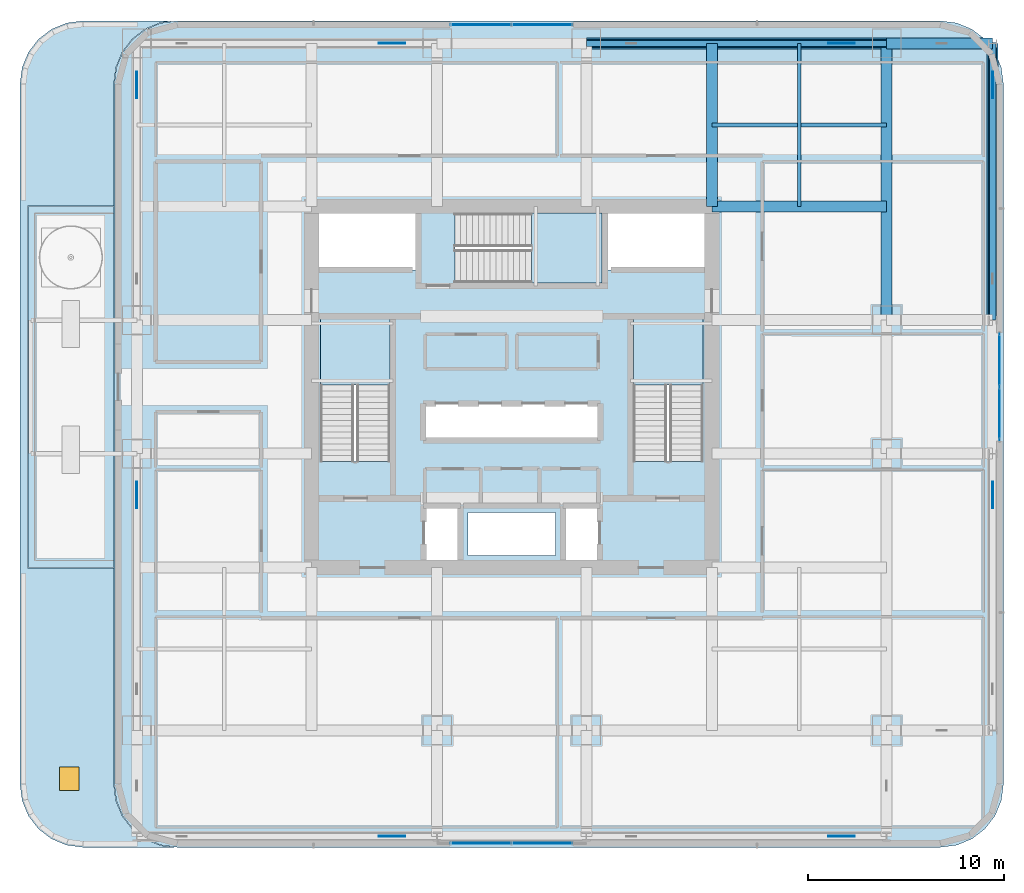
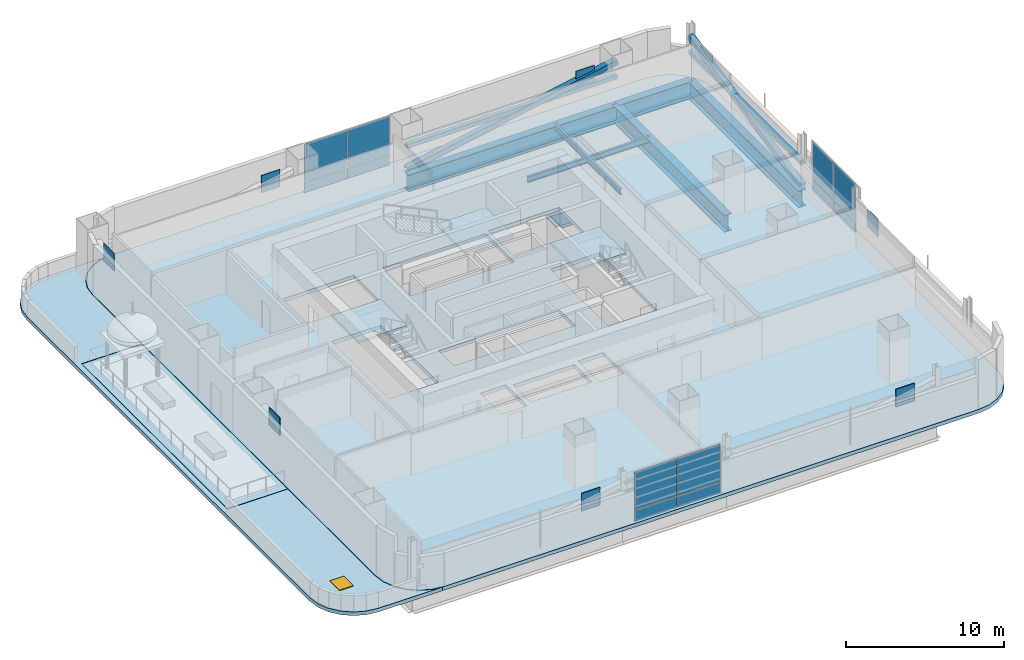
# One storey, part 7 of 27: 20 plates, 8 beams, 6 slabs, 4 members, 1 door, 1 opening, 6 elements without a shape of their own.
"""IFC4 building model written with IfcOpenShell, lengths in metres."""

from ifc_helpers import new_model, si_unit, direction, frame, origin, origin_2d, place, context, subcontext, project, spatial, polyline, rectangle, hollow_rectangle, i_section, outline, extrude, material, layer, layer_set, material_profile, profile_set, type_object, element, fill, aggregate, save


model = new_model("IFC4")

# Units and contexts
model_context = context("Model", 3, precision=1e-05, world=origin(), true_north=direction((0.0, 1.0)))
body_context = subcontext(model_context, "Body", "Model", "MODEL_VIEW")
ifc_project = project(units=[si_unit("LENGTHUNIT", "METRE"), si_unit("AREAUNIT", "SQUARE_METRE"), si_unit("VOLUMEUNIT", "CUBIC_METRE"), si_unit("PLANEANGLEUNIT", "RADIAN"), si_unit("MASSUNIT", "GRAM", prefix="KILO")], contexts=[model_context])

# Site, building, storey
site_placement = place(None, origin())
site = spatial("IfcSite", under=ifc_project, at=site_placement, CompositionType="ELEMENT")
building_placement = place(site_placement, origin())
building = spatial("IfcBuilding", under=site, at=building_placement, Name="Punatoya Terracotta Tower", CompositionType="ELEMENT")
storey_placement = place(building_placement, frame((0.0, 0.0, 60.60009765625)))
storey = spatial("IfcBuildingStorey", under=building, at=storey_placement, Name="L13", CompositionType="ELEMENT", Elevation=60.60009765625)

# Beams
ifc_material_1 = material(Name="Steel S355", Category="steel")
ifc_material_profile_1 = material_profile(ifc_material_1, i_section(OverallWidth=0.18994140625, OverallDepth=0.449951171875, WebThickness=0.009521484375, FlangeThickness=0.0146484375, FilletRadius=0.01806640625, at=origin_2d()))
ifc_profile_set_1 = profile_set([ifc_material_profile_1], Name="Steel S355")
beam_type_1 = type_object("IfcBeamType", Name="BM-SEC-450", PredefinedType="JOIST", material=ifc_profile_set_1)
beam_1_placement = place(storey_placement, frame((10.199951171875, 13.35009765625, -0.505126953125), z_axis=(1.0, 0.0, 0.0), x_axis=(0.0, 1.0, 0.0)))
element("IfcBeam", 1, at=beam_1_placement, inside=storey, type_object=beam_type_1, Name="BM-L13-SJN-2", PredefinedType="JOIST", context=body_context, shape_type="SweptSolid", body=[
    extrude(i_section(OverallWidth=0.18994140625, OverallDepth=0.449951171875, WebThickness=0.009521484375, FlangeThickness=0.0146484375, FilletRadius=0.01806640625, at=origin_2d()), origin(), (0.0, 0.0, 1.0), 8.900146484375),
])
beam_2_placement = place(storey_placement, frame((14.64990234375, 9.199951171875, -0.505126953125), z_axis=(0.0, 1.0, 0.0), x_axis=(-1.0, 0.0, 0.0)))
element("IfcBeam", 2, at=beam_2_placement, inside=storey, type_object=beam_type_1, Name="BM-L13-SJE-2", PredefinedType="JOIST", context=body_context, shape_type="SweptSolid", body=[
    extrude(i_section(OverallWidth=0.18994140625, OverallDepth=0.449951171875, WebThickness=0.009521484375, FlangeThickness=0.0146484375, FilletRadius=0.01806640625, at=origin_2d()), origin(), (0.0, 0.0, 1.0), 8.300048828125),
])
ifc_material_2 = material(Name="Steel S460", Category="steel")
ifc_material_profile_2 = material_profile(ifc_material_2, i_section(OverallWidth=0.56005859375, OverallDepth=1.320068359375, WebThickness=0.035888671875, FlangeThickness=0.054931640625, FilletRadius=0.01806640625, at=origin_2d()))
ifc_profile_set_2 = profile_set([ifc_material_profile_2], Name="Steel S460")
beam_type_2 = type_object("IfcBeamType", Name="BM-TG-BLK", PredefinedType="BEAM", material=ifc_profile_set_2)
beam_3_placement = place(storey_placement, frame((3.800048828125, 17.5, -0.940185546875), z_axis=(1.0, 0.0, 0.0), x_axis=(0.0, 1.0, 0.0)))
element("IfcBeam", 3, at=beam_3_placement, inside=storey, type_object=beam_type_2, Name="BM-L13-RG-N3", PredefinedType="BEAM", context=body_context, shape_type="SweptSolid", body=[
    extrude(i_section(OverallWidth=0.56005859375, OverallDepth=1.320068359375, WebThickness=0.035888671875, FlangeThickness=0.054931640625, FilletRadius=0.01806640625, at=origin_2d()), origin(), (0.0, 0.0, 1.0), 15.300048828125),
])
beam_4_placement = place(storey_placement, frame((19.10009765625, 3.39990234375, -0.940185546875), z_axis=(0.0, 1.0, 0.0), x_axis=(-1.0, 0.0, 0.0)))
element("IfcBeam", 4, at=beam_4_placement, inside=storey, type_object=beam_type_2, Name="BM-L13-RG-E3", PredefinedType="BEAM", context=body_context, shape_type="SweptSolid", body=[
    extrude(i_section(OverallWidth=0.56005859375, OverallDepth=1.320068359375, WebThickness=0.035888671875, FlangeThickness=0.054931640625, FilletRadius=0.01806640625, at=origin_2d()), origin(), (0.0, 0.0, 1.0), 14.10009765625),
])
beam_5_placement = place(storey_placement, frame((10.199951171875, 9.199951171875, -0.940185546875), z_axis=(1.0, 0.0, 0.0), x_axis=(0.0, 1.0, 0.0)))
element("IfcBeam", 5, at=beam_5_placement, inside=storey, type_object=beam_type_2, Name="BM-L13-PR-EN", PredefinedType="BEAM", context=body_context, shape_type="SweptSolid", body=[
    extrude(i_section(OverallWidth=0.56005859375, OverallDepth=1.320068359375, WebThickness=0.035888671875, FlangeThickness=0.054931640625, FilletRadius=0.01806640625, at=origin_2d()), origin(), (0.0, 0.0, 1.0), 8.900146484375),
])
beam_6_placement = place(storey_placement, frame((10.199951171875, 9.199951171875, -0.940185546875), z_axis=(0.0, 1.0, 0.0), x_axis=(-1.0, 0.0, 0.0)))
element("IfcBeam", 6, at=beam_6_placement, inside=storey, type_object=beam_type_2, Name="BM-L13-PR-N4", PredefinedType="BEAM", context=body_context, shape_type="SweptSolid", body=[
    extrude(i_section(OverallWidth=0.56005859375, OverallDepth=1.320068359375, WebThickness=0.035888671875, FlangeThickness=0.054931640625, FilletRadius=0.01806640625, at=origin_2d()), origin(), (0.0, 0.0, 1.0), 8.300048828125),
])
beam_7_placement = place(storey_placement, frame((19.10009765625, 17.5, -0.940185546875), z_axis=(1.0, 0.0, 0.0), x_axis=(0.0, 1.0, 0.0)))
element("IfcBeam", 7, at=beam_7_placement, inside=storey, type_object=beam_type_2, Name="BM-L13-CANT-E4", PredefinedType="BEAM", context=body_context, shape_type="SweptSolid", body=[
    extrude(i_section(OverallWidth=0.56005859375, OverallDepth=1.320068359375, WebThickness=0.035888671875, FlangeThickness=0.054931640625, FilletRadius=0.01806640625, at=origin_2d()), origin(), (0.0, 0.0, 1.0), 5.39990234375),
])
beam_8_placement = place(storey_placement, frame((24.5, 3.39990234375, -0.940185546875), z_axis=(0.0, 1.0, 0.0), x_axis=(-1.0, 0.0, 0.0)))
element("IfcBeam", 8, at=beam_8_placement, inside=storey, type_object=beam_type_2, Name="BM-L13-PER-E3", PredefinedType="BEAM", context=body_context, shape_type="SweptSolid", body=[
    extrude(i_section(OverallWidth=0.56005859375, OverallDepth=1.320068359375, WebThickness=0.035888671875, FlangeThickness=0.054931640625, FilletRadius=0.01806640625, at=origin_2d()), origin(), (0.0, 0.0, 1.0), 14.10009765625),
])

# Members
ifc_material_profile_3 = material_profile(ifc_material_2, hollow_rectangle(XDim=0.320068359375, YDim=0.320068359375, WallThickness=0.01806640625, at=origin_2d()))
ifc_profile_set_3 = profile_set([ifc_material_profile_3], Name="Steel S460")
member_type_1 = type_object("IfcMemberType", Name="MEM-CHD-320", PredefinedType="CHORD", material=ifc_profile_set_3)
member_1_placement = place(storey_placement, frame((3.800048828125, 17.5, 1.849853515625), z_axis=(1.0, 0.0, 0.0), x_axis=(0.0, 1.0, 0.0)))
element("IfcMember", 9, at=member_1_placement, inside=storey, type_object=member_type_1, Name="L13 Exoskeleton Belt Truss Tie Chord N3", PredefinedType="CHORD", context=body_context, shape_type="SweptSolid", body=[
    extrude(hollow_rectangle(XDim=0.320068359375, YDim=0.320068359375, WallThickness=0.01806640625, at=origin_2d()), origin(), (0.0, 0.0, 1.0), 15.300048828125),
])
member_2_placement = place(storey_placement, frame((24.5, 3.39990234375, 1.849853515625), z_axis=(0.0, 1.0, 0.0), x_axis=(-1.0, 0.0, 0.0)))
element("IfcMember", 10, at=member_2_placement, inside=storey, type_object=member_type_1, Name="L13 Exoskeleton Belt Truss Tie Chord E3", PredefinedType="CHORD", context=body_context, shape_type="SweptSolid", body=[
    extrude(hollow_rectangle(XDim=0.320068359375, YDim=0.320068359375, WallThickness=0.01806640625, at=origin_2d()), origin(), (0.0, 0.0, 1.0), 14.10009765625),
])
ifc_material_profile_4 = material_profile(ifc_material_2, hollow_rectangle(XDim=0.39990234375, YDim=0.39990234375, WallThickness=0.02197265625, at=origin_2d()))
ifc_profile_set_4 = profile_set([ifc_material_profile_4], Name="Steel S460")
member_type_2 = type_object("IfcMemberType", Name="MEM-EXO-400", PredefinedType="BRACE", material=ifc_profile_set_4)
member_3_placement = place(storey_placement, frame((3.800048828125, 17.5, 0.02001953125), z_axis=(0.981434908309, 0.0, 0.191795518072), x_axis=(0.0, 1.0, 0.0)))
element("IfcMember", 11, at=member_3_placement, inside=storey, type_object=member_type_2, Name="L13 Exoskeleton Belt Brace N3", PredefinedType="BRACE", context=body_context, shape_type="SweptSolid", body=[
    extrude(hollow_rectangle(XDim=0.39990234375, YDim=0.39990234375, WallThickness=0.02197265625, at=origin_2d()), origin(), (0.0, 0.0, 1.0), 15.58935546875),
])
member_4_placement = place(storey_placement, frame((24.5, 3.39990234375, 0.02001953125), z_axis=(0.0, 0.978247355132, 0.207441828415), x_axis=(-1.0, 0.0, 0.0)))
element("IfcMember", 12, at=member_4_placement, inside=storey, type_object=member_type_2, Name="L13 Exoskeleton Belt Brace E3", PredefinedType="BRACE", context=body_context, shape_type="SweptSolid", body=[
    extrude(hollow_rectangle(XDim=0.39990234375, YDim=0.39990234375, WallThickness=0.02197265625, at=origin_2d()), origin(), (0.0, 0.0, 1.0), 14.41357421875),
])

# Curtain wall, plates
ifc_material_3 = material(Name="Aluminium 6063-T6 + Double Low-E Glass", Category="aluminium")
curtain_wall_type = type_object("IfcCurtainWallType", Name="CW-M1", PredefinedType="NOTDEFINED", material=ifc_material_3)
curtain_wall_1_placement = place(storey_placement, origin())
curtain_wall_1 = element("IfcCurtainWall", 13, at=curtain_wall_1_placement, inside=storey, type_object=curtain_wall_type, Name="L13 Curtain Wall CW-L13-S01-1", PredefinedType="NOTDEFINED")
ifc_material_4 = material(Name="Double Low-E Clear Vision Glass", Category="glass")
ifc_layer_1 = layer(ifc_material_4, 0.028076171875)
ifc_layer_set_1 = layer_set([ifc_layer_1], Name="Double Low-E Clear Vision Glass")
plate_type_1 = type_object("IfcPlateType", Name="PLT-GLZ-28", PredefinedType="CURTAIN_PANEL", material=ifc_layer_set_1)
plate_1_placement = place(storey_placement, frame((-1.574951171875, -23.25, 0.889892578125), z_axis=(0.0, 0.0, 1.0), x_axis=(1.0, 0.0, 0.0)))
plate_1 = element("IfcPlate", 14, at=plate_1_placement, type_object=plate_type_1, Name="CW-L13-S01-1 Vision Glass Panel 1", PredefinedType="CURTAIN_PANEL", context=body_context, shape_type="SweptSolid", body=[
    extrude(rectangle(XDim=3.06494140625, YDim=0.028076171875, at=origin_2d()), origin(), (0.0, 0.0, 1.0), 2.8798828125),
])
plate_2_placement = place(storey_placement, frame((1.574951171875, -23.25, 0.889892578125), z_axis=(0.0, 0.0, 1.0), x_axis=(1.0, 0.0, 0.0)))
plate_2 = element("IfcPlate", 15, at=plate_2_placement, type_object=plate_type_1, Name="CW-L13-S01-1 Vision Glass Panel 2", PredefinedType="CURTAIN_PANEL", context=body_context, shape_type="SweptSolid", body=[
    extrude(rectangle(XDim=3.06494140625, YDim=0.028076171875, at=origin_2d()), origin(), (0.0, 0.0, 1.0), 2.8798828125),
])

curtain_wall_2_placement = place(storey_placement, origin())
curtain_wall_2 = element("IfcCurtainWall", 16, at=curtain_wall_2_placement, inside=storey, type_object=curtain_wall_type, Name="L13 Curtain Wall CW-L13-E05-1", PredefinedType="NOTDEFINED")
plate_3_placement = place(storey_placement, frame((24.85009765625, -1.375, 0.889892578125), z_axis=(0.0, 0.0, 1.0), x_axis=(0.0, 1.0, 0.0)))
plate_3 = element("IfcPlate", 17, at=plate_3_placement, type_object=plate_type_1, Name="CW-L13-E05-1 Vision Glass Panel 1", PredefinedType="CURTAIN_PANEL", context=body_context, shape_type="SweptSolid", body=[
    extrude(rectangle(XDim=2.6650390625, YDim=0.028076171875, at=origin_2d()), origin(), (0.0, 0.0, 1.0), 2.8798828125),
])
plate_4_placement = place(storey_placement, frame((24.85009765625, 1.375, 0.889892578125), z_axis=(0.0, 0.0, 1.0), x_axis=(0.0, 1.0, 0.0)))
plate_4 = element("IfcPlate", 18, at=plate_4_placement, type_object=plate_type_1, Name="CW-L13-E05-1 Vision Glass Panel 2", PredefinedType="CURTAIN_PANEL", context=body_context, shape_type="SweptSolid", body=[
    extrude(rectangle(XDim=2.6650390625, YDim=0.028076171875, at=origin_2d()), origin(), (0.0, 0.0, 1.0), 2.8798828125),
])

curtain_wall_3_placement = place(storey_placement, origin())
curtain_wall_3 = element("IfcCurtainWall", 19, at=curtain_wall_3_placement, inside=storey, type_object=curtain_wall_type, Name="L13 Curtain Wall CW-L13-N09-1", PredefinedType="NOTDEFINED")
plate_5_placement = place(storey_placement, frame((1.574951171875, 18.449951171875, 0.889892578125), z_axis=(0.0, 0.0, 1.0), x_axis=(-1.0, 0.0, 0.0)))
plate_5 = element("IfcPlate", 20, at=plate_5_placement, type_object=plate_type_1, Name="CW-L13-N09-1 Vision Glass Panel 1", PredefinedType="CURTAIN_PANEL", context=body_context, shape_type="SweptSolid", body=[
    extrude(rectangle(XDim=3.06494140625, YDim=0.028076171875, at=origin_2d()), origin(), (0.0, 0.0, 1.0), 2.8798828125),
])
plate_6_placement = place(storey_placement, frame((-1.574951171875, 18.449951171875, 0.889892578125), z_axis=(0.0, 0.0, 1.0), x_axis=(-1.0, 0.0, 0.0)))
plate_6 = element("IfcPlate", 21, at=plate_6_placement, type_object=plate_type_1, Name="CW-L13-N09-1 Vision Glass Panel 2", PredefinedType="CURTAIN_PANEL", context=body_context, shape_type="SweptSolid", body=[
    extrude(rectangle(XDim=3.06494140625, YDim=0.028076171875, at=origin_2d()), origin(), (0.0, 0.0, 1.0), 2.8798828125),
])

# Plates
ifc_layer_2 = layer(ifc_material_2, 0.050048828125)
ifc_layer_set_2 = layer_set([ifc_layer_2], Name="Steel S460")
plate_type_2 = type_object("IfcPlateType", Name="PLT-GUS-50", PredefinedType="USERDEFINED", material=ifc_layer_set_2)
for number, where, z_axis, x_axis, name in (
    (22, (-6.094970703125, -22.89990234375, 1.886474609375), (0.0, 0.0, 1.0), (1.0, 0.0, 0.0), "L13 Exoskeleton Node Gusset Plate S1"),
    (23, (16.804931640625, -22.89990234375, 1.886474609375), (0.0, 0.0, 1.0), (1.0, 0.0, 0.0), "L13 Exoskeleton Node Gusset Plate S3"),
    (24, (-6.094970703125, 17.5, 1.886474609375), (0.0, 0.0, 1.0), (1.0, 0.0, 0.0), "L13 Exoskeleton Node Gusset Plate N1"),
    (25, (16.804931640625, 17.5, 1.886474609375), (0.0, 0.0, 1.0), (1.0, 0.0, 0.0), "L13 Exoskeleton Node Gusset Plate N3"),
    (26, (-19.10009765625, -5.514892578125, 1.886474609375), (0.0, 0.0, 1.0), (0.0, 1.0, 0.0), "L13 Exoskeleton Node Gusset Plate W1"),
    (27, (-19.10009765625, 15.385009765625, 1.886474609375), (0.0, 0.0, 1.0), (0.0, 1.0, 0.0), "L13 Exoskeleton Node Gusset Plate W3"),
    (28, (24.5, -5.514892578125, 1.886474609375), (0.0, 0.0, 1.0), (0.0, 1.0, 0.0), "L13 Exoskeleton Node Gusset Plate E1"),
    (29, (24.5, 15.385009765625, 1.886474609375), (0.0, 0.0, 1.0), (0.0, 1.0, 0.0), "L13 Exoskeleton Node Gusset Plate E3"),
):
    element("IfcPlate", number, at=place(storey_placement, frame(where, z_axis=z_axis, x_axis=x_axis)), inside=storey, type_object=plate_type_2, Name=name, ObjectType="GUSSET_PLATE", PredefinedType="USERDEFINED", context=body_context, shape_type="SweptSolid", body=[
        extrude(rectangle(XDim=1.35009765625, YDim=0.050048828125, at=origin_2d()), origin(), (0.0, 0.0, 1.0), 1.35009765625),
    ])

# Plate
ifc_material_5 = material(Name="Insulated Terracotta-Backed Spandrel Panel", Category="masonry")
ifc_layer_3 = layer(ifc_material_5, 0.044921875)
ifc_layer_set_3 = layer_set([ifc_layer_3], Name="Insulated Terracotta-Backed Spandrel Panel")
plate_type_3 = type_object("IfcPlateType", Name="PLT-SPN-45", PredefinedType="CURTAIN_PANEL", material=ifc_layer_set_3)
plate_7_placement = place(storey_placement, frame((-1.574951171875, -23.25, 0.0400390625), z_axis=(0.0, 0.0, 1.0), x_axis=(1.0, 0.0, 0.0)))
plate_7 = element("IfcPlate", 30, at=plate_7_placement, type_object=plate_type_3, Name="CW-L13-S01-1 Terracotta Spandrel Panel 1", PredefinedType="CURTAIN_PANEL", context=body_context, shape_type="SweptSolid", body=[
    extrude(rectangle(XDim=3.06494140625, YDim=0.044921875, at=origin_2d()), origin(), (0.0, 0.0, 1.0), 0.77490234375),
])

plate_8_placement = place(storey_placement, frame((1.574951171875, -23.25, 0.0400390625), z_axis=(0.0, 0.0, 1.0), x_axis=(1.0, 0.0, 0.0)))
plate_8 = element("IfcPlate", 31, at=plate_8_placement, type_object=plate_type_3, Name="CW-L13-S01-1 Terracotta Spandrel Panel 2", PredefinedType="CURTAIN_PANEL", context=body_context, shape_type="SweptSolid", body=[
    extrude(rectangle(XDim=3.06494140625, YDim=0.044921875, at=origin_2d()), origin(), (0.0, 0.0, 1.0), 0.77490234375),
])

aggregate(curtain_wall_1, [plate_7, plate_1, plate_8, plate_2])

plate_9_placement = place(storey_placement, frame((24.85009765625, -1.375, 0.0400390625), z_axis=(0.0, 0.0, 1.0), x_axis=(0.0, 1.0, 0.0)))
plate_9 = element("IfcPlate", 32, at=plate_9_placement, type_object=plate_type_3, Name="CW-L13-E05-1 Terracotta Spandrel Panel 1", PredefinedType="CURTAIN_PANEL", context=body_context, shape_type="SweptSolid", body=[
    extrude(rectangle(XDim=2.6650390625, YDim=0.044921875, at=origin_2d()), origin(), (0.0, 0.0, 1.0), 0.77490234375),
])

plate_10_placement = place(storey_placement, frame((24.85009765625, 1.375, 0.0400390625), z_axis=(0.0, 0.0, 1.0), x_axis=(0.0, 1.0, 0.0)))
plate_10 = element("IfcPlate", 33, at=plate_10_placement, type_object=plate_type_3, Name="CW-L13-E05-1 Terracotta Spandrel Panel 2", PredefinedType="CURTAIN_PANEL", context=body_context, shape_type="SweptSolid", body=[
    extrude(rectangle(XDim=2.6650390625, YDim=0.044921875, at=origin_2d()), origin(), (0.0, 0.0, 1.0), 0.77490234375),
])

aggregate(curtain_wall_2, [plate_9, plate_3, plate_10, plate_4])

plate_11_placement = place(storey_placement, frame((1.574951171875, 18.449951171875, 0.0400390625), z_axis=(0.0, 0.0, 1.0), x_axis=(-1.0, 0.0, 0.0)))
plate_11 = element("IfcPlate", 34, at=plate_11_placement, type_object=plate_type_3, Name="CW-L13-N09-1 Terracotta Spandrel Panel 1", PredefinedType="CURTAIN_PANEL", context=body_context, shape_type="SweptSolid", body=[
    extrude(rectangle(XDim=3.06494140625, YDim=0.044921875, at=origin_2d()), origin(), (0.0, 0.0, 1.0), 0.77490234375),
])

plate_12_placement = place(storey_placement, frame((-1.574951171875, 18.449951171875, 0.0400390625), z_axis=(0.0, 0.0, 1.0), x_axis=(-1.0, 0.0, 0.0)))
plate_12 = element("IfcPlate", 35, at=plate_12_placement, type_object=plate_type_3, Name="CW-L13-N09-1 Terracotta Spandrel Panel 2", PredefinedType="CURTAIN_PANEL", context=body_context, shape_type="SweptSolid", body=[
    extrude(rectangle(XDim=3.06494140625, YDim=0.044921875, at=origin_2d()), origin(), (0.0, 0.0, 1.0), 0.77490234375),
])

aggregate(curtain_wall_3, [plate_11, plate_5, plate_12, plate_6])

# Stair, slab
ifc_material_6 = material(Name="Concrete C40/50", Category="concrete")
stair_type_1 = type_object("IfcStairType", Name="STR-TER-1450", PredefinedType="HALF_TURN_STAIR", material=ifc_material_6)
stair_1_placement = place(storey_placement, origin())
stair_1 = element("IfcStair", 36, at=stair_1_placement, inside=storey, type_object=stair_type_1, Name="L13 Protected Core Exit Stair ST-3", PredefinedType="HALF_TURN_STAIR")
ifc_layer_4 = layer(ifc_material_6, 0.1650390625)
ifc_layer_set_4 = layer_set([ifc_layer_4], Name="Concrete C40/50")
slab_type_1 = type_object("IfcSlabType", Name="SLB-LND-165", PredefinedType="LANDING", material=ifc_layer_set_4)
slab_1_placement = place(storey_placement, frame((0.0, 0.0, 1.824951171875)))
slab_1 = element("IfcSlab", 37, at=slab_1_placement, type_object=slab_type_1, Name="ST-3 landing 1", PredefinedType="LANDING", context=body_context, shape_type="SweptSolid", body=[
    extrude(outline(polyline([(1.0, 5.300048828125), (4.60009765625, 5.300048828125), (4.60009765625, 8.85009765625), (1.0, 8.85009765625), (1.0, 5.300048828125)])), origin(), (0.0, 0.0, 1.0), 0.199951171875),
])
aggregate(stair_1, [slab_1])

stair_type_2 = type_object("IfcStairType", Name="STR-CORE-1550", PredefinedType="HALF_TURN_STAIR", material=ifc_material_6)
stair_2_placement = place(storey_placement, origin())
stair_2 = element("IfcStair", 38, at=stair_2_placement, inside=storey, type_object=stair_type_2, Name="L13 Protected Core Exit Stair ST-1", PredefinedType="HALF_TURN_STAIR")
ifc_layer_5 = layer(ifc_material_6, 0.179931640625)
ifc_layer_set_5 = layer_set([ifc_layer_5], Name="Concrete C40/50")
slab_type_2 = type_object("IfcSlabType", Name="SLB-LND-180", PredefinedType="LANDING", material=ifc_layer_set_5)
slab_2_placement = place(storey_placement, frame((0.0, 0.0, 1.824951171875)))
slab_2 = element("IfcSlab", 39, at=slab_2_placement, type_object=slab_type_2, Name="ST-1 landing 1", PredefinedType="LANDING", context=body_context, shape_type="SweptSolid", body=[
    extrude(outline(polyline([(-6.199951171875, 0.10009765625), (-6.199951171875, 3.449951171875), (-9.75, 3.449951171875), (-9.75, 0.10009765625), (-6.199951171875, 0.10009765625)])), origin(), (0.0, 0.0, 1.0), 0.199951171875),
])
aggregate(stair_2, [slab_2])

stair_type_3 = type_object("IfcStairType", Name="STR-LOB-1650", PredefinedType="HALF_TURN_STAIR", material=ifc_material_6)
stair_3_placement = place(storey_placement, origin())
stair_3 = element("IfcStair", 40, at=stair_3_placement, inside=storey, type_object=stair_type_3, Name="L13 Protected Core Exit Stair ST-2", PredefinedType="HALF_TURN_STAIR")
slab_3_placement = place(storey_placement, frame((0.0, 0.0, 1.824951171875)))
slab_3 = element("IfcSlab", 41, at=slab_3_placement, type_object=slab_type_2, Name="ST-2 landing 1", PredefinedType="LANDING", context=body_context, shape_type="SweptSolid", body=[
    extrude(outline(polyline([(9.75, 0.10009765625), (9.75, 3.449951171875), (6.199951171875, 3.449951171875), (6.199951171875, 0.10009765625), (9.75, 0.10009765625)])), origin(), (0.0, 0.0, 1.0), 0.199951171875),
])
aggregate(stair_3, [slab_3])

# Slab
ifc_layer_6 = layer(ifc_material_6, 0.280029296875)
ifc_layer_set_6 = layer_set([ifc_layer_6], Name="Concrete C40/50")
slab_type_3 = type_object("IfcSlabType", Name="SLB-POD-280", PredefinedType="FLOOR", material=ifc_layer_set_6)
slab_4_placement = place(storey_placement, frame((0.0, 0.0, -0.280029296875)))
element("IfcSlab", 42, at=slab_4_placement, inside=storey, type_object=slab_type_3, Name="L13 Structural Floor Slab", PredefinedType="FLOOR", context=body_context, shape_type="SweptSolid", body=[
    extrude(outline(polyline([(-17.050048828125, -23.449951171875), (-17.878173828125, -23.341064453125), (-18.64990234375, -23.021240234375), (-19.312744140625, -22.5126953125), (-19.8212890625, -21.85009765625), (-20.14111328125, -21.078125), (-20.25, -20.25), (-20.25, 15.449951171875), (-20.14111328125, 16.2783203125), (-19.8212890625, 17.050048828125), (-19.312744140625, 17.712646484375), (-18.64990234375, 18.22119140625), (-17.878173828125, 18.541015625), (-17.050048828125, 18.64990234375), (21.85009765625, 18.64990234375), (22.67822265625, 18.541015625), (23.449951171875, 18.22119140625), (24.11279296875, 17.712646484375), (24.621337890625, 17.050048828125), (24.94091796875, 16.2783203125), (25.050048828125, 15.449951171875), (25.050048828125, -20.25), (24.94091796875, -21.078125), (24.621337890625, -21.85009765625), (24.11279296875, -22.5126953125), (23.449951171875, -23.021240234375), (22.67822265625, -23.341064453125), (21.85009765625, -23.449951171875), (-17.050048828125, -23.449951171875)]), holes=[polyline([(-2.6298828125, -6.179931640625), (-4.469970703125, -6.179931640625), (-4.469970703125, -8.820068359375), (-2.6298828125, -8.820068359375), (-2.6298828125, -6.179931640625)]), polyline([(0.02001953125, -8.594970703125), (2.219970703125, -8.594970703125), (2.219970703125, -6.405029296875), (0.02001953125, -6.405029296875), (-0.02001953125, -6.405029296875), (-2.219970703125, -6.405029296875), (-2.219970703125, -8.594970703125), (-0.02001953125, -8.594970703125), (0.02001953125, -8.594970703125)]), polyline([(-2.219970703125, -2.719970703125), (-2.179931640625, -2.719970703125), (-0.02001953125, -2.719970703125), (0.02001953125, -2.719970703125), (2.179931640625, -2.719970703125), (2.219970703125, -2.719970703125), (4.419921875, -2.719970703125), (4.419921875, -0.780029296875), (2.219970703125, -0.780029296875), (2.179931640625, -0.780029296875), (0.02001953125, -0.780029296875), (-0.02001953125, -0.780029296875), (-2.179931640625, -0.780029296875), (-2.219970703125, -0.780029296875), (-4.419921875, -0.780029296875), (-4.419921875, -2.719970703125), (-2.219970703125, -2.719970703125)]), polyline([(-6.199951171875, 3.449951171875), (-9.75, 3.449951171875), (-9.75, -3.79931640625), (-6.199951171875, -3.79931640625), (-6.199951171875, 3.449951171875)]), polyline([(4.60009765625, 5.300048828125), (4.60009765625, 8.85009765625), (-2.899169921875, 8.85009765625), (-2.899169921875, 5.300048828125), (4.60009765625, 5.300048828125)]), polyline([(-4.89990234375, 9.050048828125), (-10.050048828125, 9.050048828125), (-10.050048828125, 5.949951171875), (-4.89990234375, 5.949951171875), (-4.89990234375, 9.050048828125)]), polyline([(4.469970703125, -8.820068359375), (4.469970703125, -6.179931640625), (2.6298828125, -6.179931640625), (2.6298828125, -8.820068359375), (4.469970703125, -8.820068359375)]), polyline([(9.75, 3.449951171875), (6.199951171875, 3.449951171875), (6.199951171875, -3.79931640625), (9.75, -3.79931640625), (9.75, 3.449951171875)]), polyline([(10.050048828125, 5.949951171875), (10.050048828125, 9.050048828125), (4.89990234375, 9.050048828125), (4.89990234375, 5.949951171875), (10.050048828125, 5.949951171875)])]), origin(), (0.0, 0.0, 1.0), 0.280029296875),
])

# Slab, opening, door
ifc_layer_7 = layer(ifc_material_6, 0.280029296875)
ifc_layer_set_7 = layer_set([ifc_layer_7], Name="Concrete C40/50")
slab_type_4 = type_object("IfcSlabType", Name="SLB-ROF-280", PredefinedType="ROOF", material=ifc_layer_set_7)
slab_5_placement = place(storey_placement, frame((0.0, 0.0, -0.280029296875)))
slab_5 = element("IfcSlab", 43, at=slab_5_placement, inside=storey, type_object=slab_type_4, Name="L13 Junction Roof Slab 1 over L12 Plate", PredefinedType="ROOF", context=body_context, shape_type="SweptSolid", body=[
    extrude(outline(polyline([(-23.449951171875, -23.021240234375), (-22.67822265625, -23.341064453125), (-21.85009765625, -23.449951171875), (-17.203369140625, -23.449951171875), (-17.88330078125, -23.360595703125), (-18.66015625, -23.038818359375), (-19.326904296875, -22.527099609375), (-19.8388671875, -21.860107421875), (-20.160400390625, -21.08349609375), (-20.27001953125, -20.251220703125), (-20.27001953125, -9.219970703125), (-24.669921875, -9.219970703125), (-24.669921875, 9.219970703125), (-20.27001953125, 9.219970703125), (-20.27001953125, 15.451416015625), (-20.160400390625, 16.283447265625), (-19.8388671875, 17.06005859375), (-19.326904296875, 17.72705078125), (-18.66015625, 18.23876953125), (-17.88330078125, 18.560546875), (-17.203369140625, 18.64990234375), (-21.85009765625, 18.64990234375), (-22.67822265625, 18.541015625), (-23.449951171875, 18.22119140625), (-24.11279296875, 17.712646484375), (-24.621337890625, 17.050048828125), (-24.94091796875, 16.2783203125), (-25.050048828125, 15.449951171875), (-25.050048828125, -20.25), (-24.94091796875, -21.078125), (-24.621337890625, -21.85009765625), (-24.11279296875, -22.5126953125), (-23.449951171875, -23.021240234375)]), holes=[polyline([(-22.050048828125, -19.35009765625), (-22.050048828125, -20.550048828125), (-23.050048828125, -20.550048828125), (-23.050048828125, -19.35009765625), (-22.050048828125, -19.35009765625)])]), origin(), (0.0, 0.0, 1.0), 0.280029296875),
])
opening_placement = place(slab_5_placement, frame((-22.550048828125, -19.949951171875, 0.0)))
opening = element("IfcOpeningElement", 44, at=opening_placement, cuts=slab_5, Name="Opening RHT-1", PredefinedType="OPENING", context=body_context, shape_type="SweptSolid", body=[
    extrude(rectangle(XDim=1.0, YDim=1.199951171875, at=origin_2d()), frame((0.0, 0.0, -0.010009765625)), (0.0, 0.0, 1.0), 0.35009765625),
])
ifc_material_7 = material(Name="Insulated Aluminium Roof Hatch", Category="aluminium")
door_type = type_object("IfcDoorType", Name="DR-HTCH-1000", OperationType="NOTDEFINED", PredefinedType="TRAPDOOR", material=ifc_material_7)
door_placement = place(opening_placement, frame((0.0, 0.0, 0.280029296875)))
door = element("IfcDoor", 45, at=door_placement, inside=storey, type_object=door_type, Name="L13 Junction Roof Maintenance Hatch 1", OperationType="SINGLE_SWING_LEFT", OverallHeight=1.199951171875, OverallWidth=1.0, PredefinedType="TRAPDOOR", context=body_context, shape_type="SweptSolid", body=[
    extrude(rectangle(XDim=1.0, YDim=1.199951171875, at=origin_2d()), origin(), (0.0, 0.0, 1.0), 0.050048828125),
])
fill(opening, door)

# Slab
ifc_layer_8 = layer(ifc_material_6, 0.22998046875)
ifc_layer_set_8 = layer_set([ifc_layer_8], Name="Concrete C40/50")
slab_type_5 = type_object("IfcSlabType", Name="SLB-TER-230", PredefinedType="FLOOR", material=ifc_layer_set_8)
slab_6_placement = place(storey_placement, frame((0.0, 0.0, -0.22998046875)))
element("IfcSlab", 46, at=slab_6_placement, inside=storey, type_object=slab_type_5, Name="L13 Spiralling Sky Terrace", PredefinedType="FLOOR", context=body_context, shape_type="SweptSolid", body=[
    extrude(outline(polyline([(-24.64990234375, -9.199951171875), (-24.64990234375, 9.199951171875), (-20.27001953125, 9.199951171875), (-20.27001953125, -9.199951171875), (-24.64990234375, -9.199951171875)])), origin(), (0.0, 0.0, 1.0), 0.22998046875),
])

save(model, "model.ifc")
